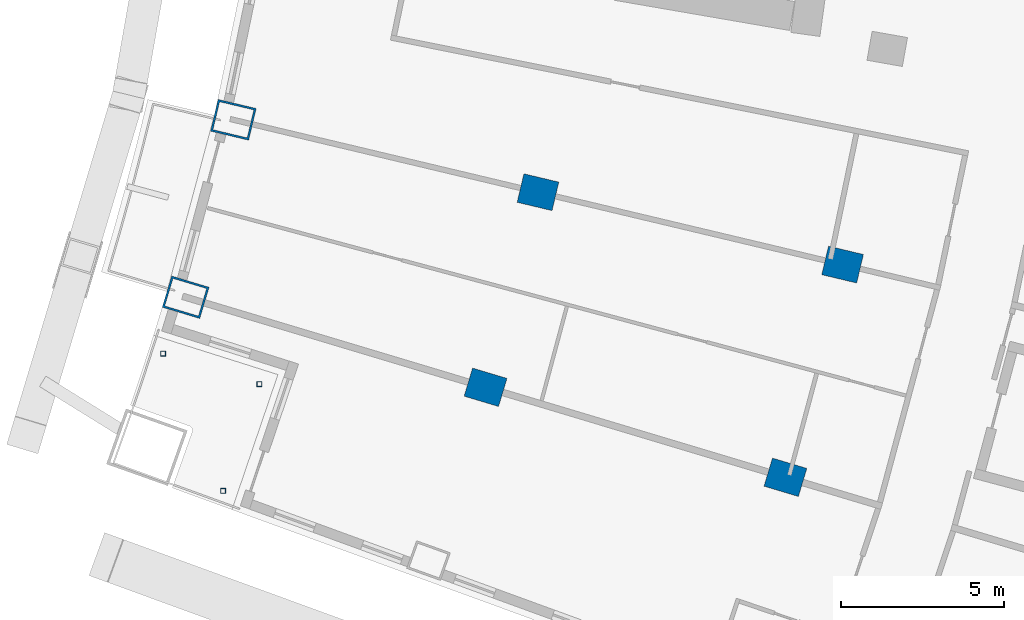
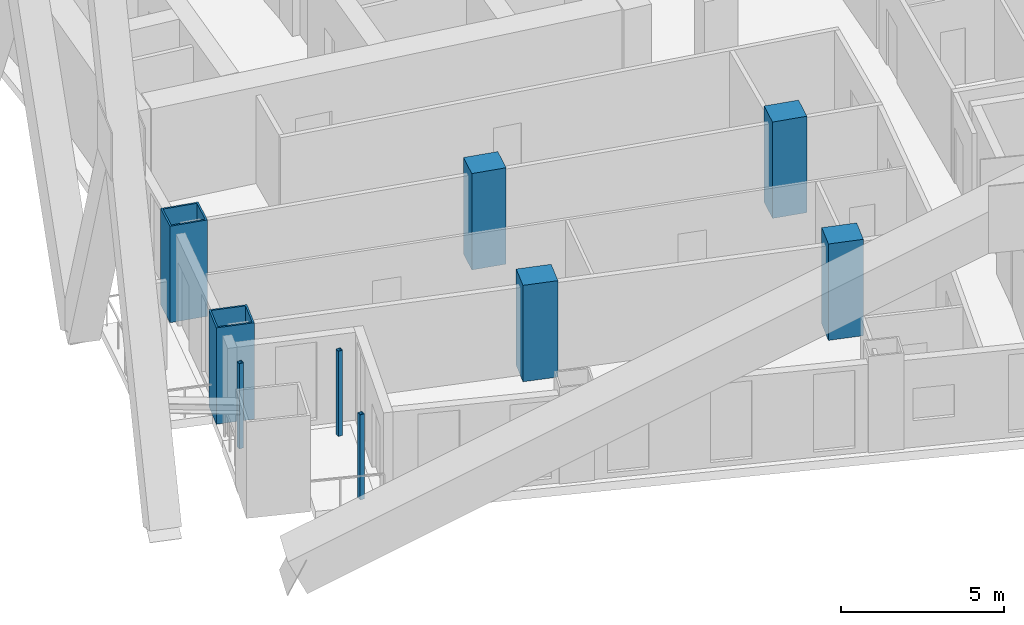
# One storey, part 2 of 23: 9 columns.
"""IFC4 building model written with IfcOpenShell, lengths in metres."""

from ifc_helpers import new_model, si_unit, direction, frame, origin, origin_2d, place, context, subcontext, project, spatial, rectangle, hollow_rectangle, extrude, material, material_profile, profile_set, type_object, element, save


model = new_model("IFC4")

# Units and contexts
model_context = context("Model", 3, precision=1e-05, world=origin(), true_north=direction((0.0, 1.0)))
body_context = subcontext(model_context, "Body", "Model", "MODEL_VIEW")
ifc_project = project(units=[si_unit("LENGTHUNIT", "METRE"), si_unit("AREAUNIT", "SQUARE_METRE"), si_unit("VOLUMEUNIT", "CUBIC_METRE"), si_unit("PLANEANGLEUNIT", "RADIAN"), si_unit("MASSUNIT", "GRAM", prefix="KILO")], contexts=[model_context])

# Site, building, storey
site_placement = place(None, origin())
site = spatial("IfcSite", under=ifc_project, at=site_placement, CompositionType="ELEMENT")
building_placement = place(site_placement, origin())
building = spatial("IfcBuilding", under=site, at=building_placement, Name="Alderwake Tower", CompositionType="ELEMENT")
storey_placement = place(building_placement, frame((0.0, 0.0, 53.60009765625)))
storey = spatial("IfcBuildingStorey", under=building, at=storey_placement, Name="L12", CompositionType="ELEMENT", Elevation=53.60009765625)

# Columns
ifc_material_1 = material(Name="Concrete C70/85", Category="concrete")
ifc_material_profile_1 = material_profile(ifc_material_1, rectangle(XDim=0.89990234375, YDim=1.10009765625, at=origin_2d()), Name="RC 1100X900")
ifc_profile_set_1 = profile_set([ifc_material_profile_1], Name="Concrete C70/85")
column_type_1 = type_object("IfcColumnType", Name="Interior column Z1", PredefinedType="COLUMN", material=ifc_profile_set_1)
for number, where, z_axis, x_axis, name in (
    (1, (21.714599609375, 30.46240234375, 0.0), (0.0, 0.0, 1.0), (0.287549418125, 0.957765802342, 0.0), "Column R02-C1"),
    (2, (30.9091796875, 27.701904296875, 0.0), (0.0, 0.0, 1.0), (0.287549418125, 0.957765802342, 0.0), "Column R02-C2"),
    (3, (23.322021484375, 36.444091796875, 0.0), (0.0, 0.0, 1.0), (0.231221547198, 0.972901123502, 0.0), "Column R03-C1"),
    (4, (32.661865234375, 34.224609375, 0.0), (0.0, 0.0, 1.0), (0.231221547198, 0.972901123502, 0.0), "Column R03-C2"),
):
    element("IfcColumn", number, at=place(storey_placement, frame(where, z_axis=z_axis, x_axis=x_axis)), inside=storey, type_object=column_type_1, Name=name, PredefinedType="COLUMN", context=body_context, shape_type="SweptSolid", body=[
        extrude(rectangle(XDim=0.89990234375, YDim=1.10009765625, at=origin_2d()), origin(), (0.0, 0.0, 1.0), 3.599853515625),
    ])
ifc_material_2 = material(Name="Steel ASTM A500 Grade C", Category="steel")
ifc_material_profile_2 = material_profile(ifc_material_2, hollow_rectangle(XDim=0.15234375, YDim=0.15234375, WallThickness=0.0087890625, at=origin_2d()), Name="HSS6X6X3/8")
ifc_profile_set_2 = profile_set([ifc_material_profile_2], Name="Steel ASTM A500 Grade C")
column_type_2 = type_object("IfcColumnType", Name="Light post HSS6X6X3/8", PredefinedType="COLUMN", material=ifc_profile_set_2)
for number, where, z_axis, x_axis, name in (
    (5, (11.82568359375, 31.492919921875, 0.0), (0.0, 0.0, 1.0), (1.0, 0.0, 0.0), "Terrace post RS1"),
    (6, (13.66796875, 27.28759765625, 0.0), (0.0, 0.0, 1.0), (1.0, 0.0, 0.0), "Terrace post RS2"),
    (7, (14.781494140625, 30.558349609375, 0.0), (0.0, 0.0, 1.0), (1.0, 0.0, 0.0), "Terrace post RS3"),
):
    element("IfcColumn", number, at=place(storey_placement, frame(where, z_axis=z_axis, x_axis=x_axis)), inside=storey, type_object=column_type_2, Name=name, PredefinedType="COLUMN", context=body_context, shape_type="SweptSolid", body=[
        extrude(hollow_rectangle(XDim=0.15234375, YDim=0.15234375, WallThickness=0.0087890625, at=origin_2d()), origin(), (0.0, 0.0, 1.0), 3.179931640625),
    ])
ifc_material_3 = material(Name="Steel ASTM A572 Grade 50 concrete filled C70/85", Category="concrete")
ifc_material_profile_3 = material_profile(ifc_material_3, hollow_rectangle(XDim=1.0, YDim=1.199951171875, WallThickness=0.06005859375, at=origin_2d()), Name="BOX 1200X1000X60")
ifc_profile_set_3 = profile_set([ifc_material_profile_3], Name="Steel ASTM A572 Grade 50 concrete filled C70/85")
column_type_3 = type_object("IfcColumnType", Name="Perimeter column Z1", PredefinedType="COLUMN", material=ifc_profile_set_3)
for number, where, z_axis, x_axis, name in (
    (8, (12.520263671875, 33.222900390625, 0.0), (0.0, 0.0, 1.0), (0.287549418125, 0.957765802342, 0.0), "Column R02-C0"),
    (9, (13.982177734375, 38.6640625, 0.0), (0.0, 0.0, 1.0), (0.231221547198, 0.972901123502, 0.0), "Column R03-C0"),
):
    element("IfcColumn", number, at=place(storey_placement, frame(where, z_axis=z_axis, x_axis=x_axis)), inside=storey, type_object=column_type_3, Name=name, PredefinedType="COLUMN", context=body_context, shape_type="SweptSolid", body=[
        extrude(hollow_rectangle(XDim=1.0, YDim=1.199951171875, WallThickness=0.06005859375, at=origin_2d()), origin(), (0.0, 0.0, 1.0), 3.599853515625),
    ])

save(model, "model.ifc")
